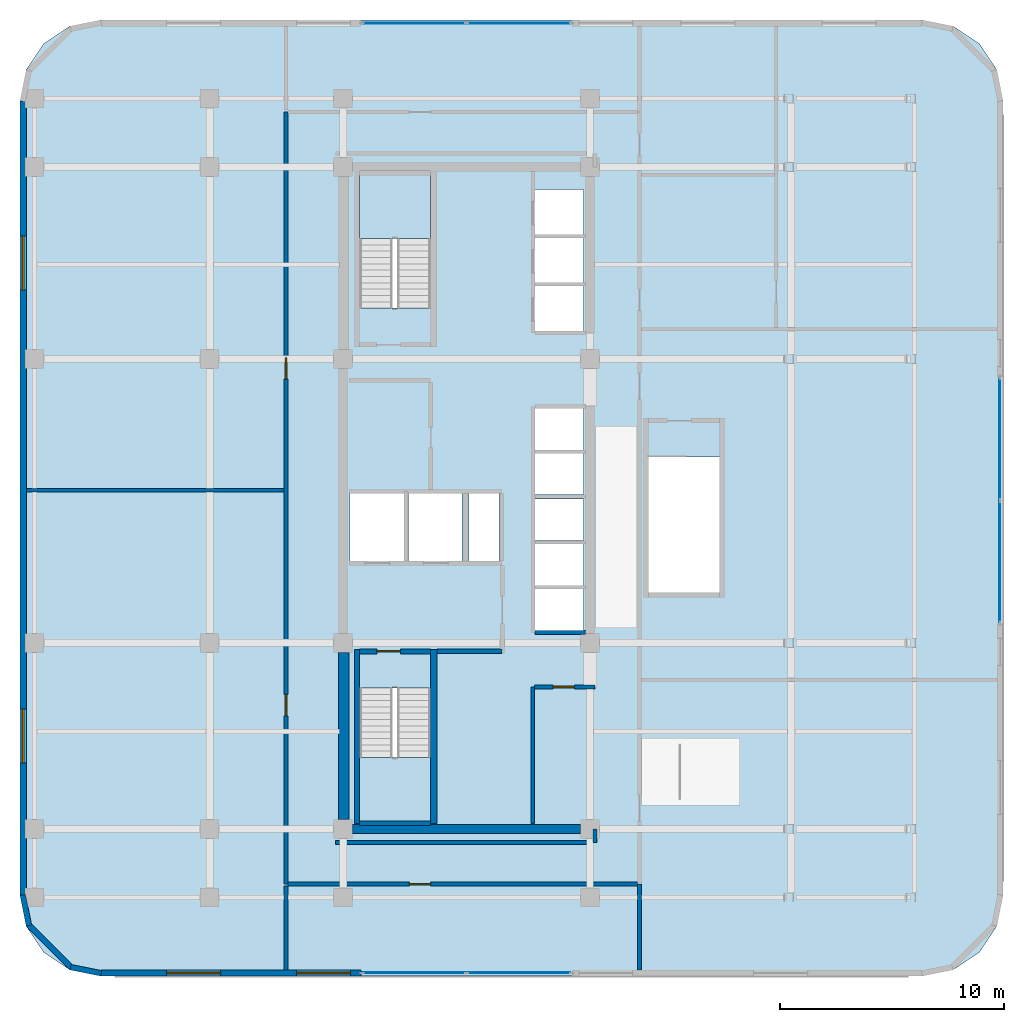
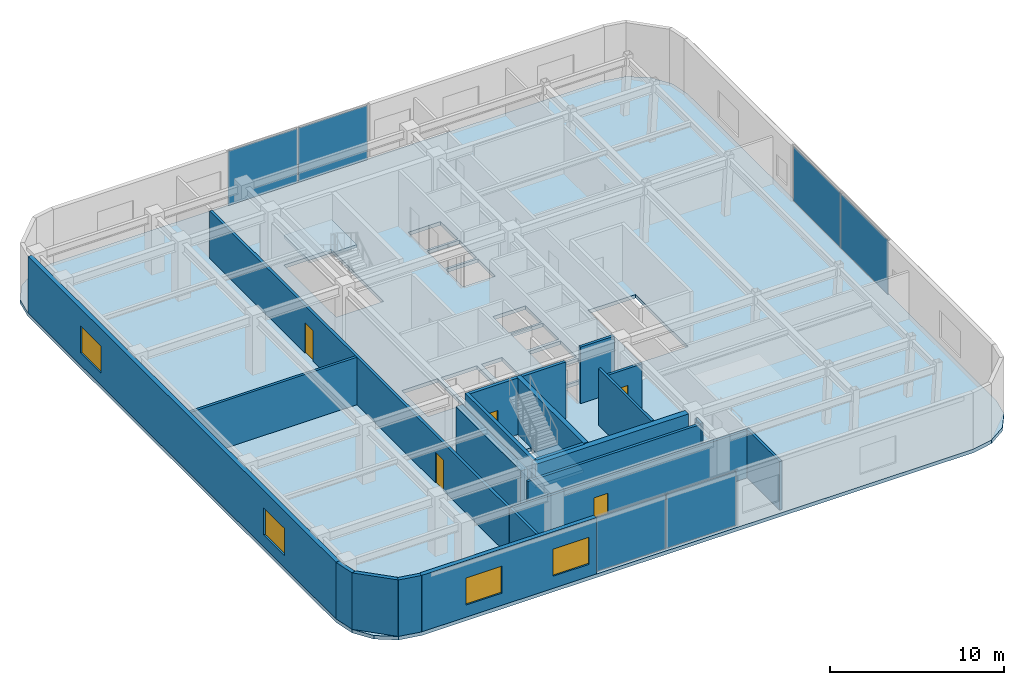
# One storey, part 6 of 12: 22 walls, 6 plates, 5 doors, 4 windows, 3 slabs, 9 openings, 5 elements without a shape of their own.
"""IFC4 building model written with IfcOpenShell, lengths in metres."""

import ifcopenshell
import ifcopenshell.guid

model = None  # the IFC model being written
_history = None  # IfcOwnerHistory: only IFC2X3 demands one
_inside = {}  # id of a spatial element -> (the spatial element, [elements in it])
_under = {}  # id of a project, library or spatial element -> (it, [spatial elements below it])
_declared = {}  # id of a project -> (the project, [libraries it declares])
_typed = {}  # id of a type object -> (the type object, [elements of that type])
_made_of = {}  # id of a material, layer set ... -> (it, [elements and type objects made of it])


def new_model(schema):
    """Start an empty IFC model of exactly this schema.

    Asked for "IFC4X3", IfcOpenShell would pick the latest addendum, in which some entities
    have other attributes; the version numbers below select the first issue.
    IFC2X3 requires an IfcOwnerHistory on every rooted entity: one is made here for all.
    """
    global model, _history
    if schema == "IFC4X3":
        model = ifcopenshell.file(schema_version=(4, 3, 0, 0))
    else:
        model = ifcopenshell.file(schema=schema)
    _inside.clear()
    _under.clear()
    _declared.clear()
    _typed.clear()
    _made_of.clear()
    _history = None
    if model.schema == "IFC2X3":
        org = make("IfcOrganization", Name="unknown")
        user = make(
            "IfcPersonAndOrganization",
            ThePerson=make("IfcPerson", FamilyName="unknown"),
            TheOrganization=org,
        )
        app = make(
            "IfcApplication",
            ApplicationDeveloper=org,
            Version="unknown",
            ApplicationFullName="unknown",
            ApplicationIdentifier="unknown",
        )
        _history = make(
            "IfcOwnerHistory",
            OwningUser=user,
            OwningApplication=app,
            ChangeAction="ADDED",
            CreationDate=0,
        )
    return model


def make(cls, **values):
    """One entity of the class cls with the attributes given. An attribute that is None is left unset."""
    return model.create_entity(
        cls, **{name: value for name, value in values.items() if value is not None}
    )


def rooted(cls, **values):
    """An entity with a GlobalId (a new one), such as an element, a storey or a relation."""
    return make(cls, GlobalId=ifcopenshell.guid.new(), OwnerHistory=_history, **values)


def si_unit(unit_type, name, prefix=None):
    """IfcSIUnit, for example si_unit("LENGTHUNIT", "METRE", prefix="MILLI")."""
    return make("IfcSIUnit", UnitType=unit_type, Prefix=prefix, Name=name)


def assignment(units):
    """IfcUnitAssignment: the units of a project."""
    return None if units is None else make("IfcUnitAssignment", Units=units)


def point(xyz):
    """IfcCartesianPoint."""
    return None if xyz is None else make("IfcCartesianPoint", Coordinates=xyz)


def direction(xyz):
    """IfcDirection."""
    return None if xyz is None else make("IfcDirection", DirectionRatios=xyz)


def frame(location, z_axis=None, x_axis=None):
    """IfcAxis2Placement3D, a coordinate frame: its origin and axes. An axis left out is left unset."""
    return make(
        "IfcAxis2Placement3D",
        Location=point(location),
        Axis=direction(z_axis),
        RefDirection=direction(x_axis),
    )


def frame_2d(location, x_axis=None):
    """IfcAxis2Placement2D, a coordinate frame in the plane: its origin and x axis."""
    return make(
        "IfcAxis2Placement2D", Location=point(location), RefDirection=direction(x_axis)
    )


def origin():
    """The frame at (0, 0, 0) with its axes left unset."""
    return frame((0.0, 0.0, 0.0))


def origin_2d():
    """The frame at (0, 0) in the plane with its x axis left unset."""
    return frame_2d((0.0, 0.0))


def place(relative_to, where):
    """IfcLocalPlacement: puts the frame where relative to a parent placement (None: the world)."""
    return make(
        "IfcLocalPlacement", PlacementRelTo=relative_to, RelativePlacement=where
    )


def context(
    kind, dimensions, precision=None, world=None, true_north=None, identifier=None
):
    """IfcGeometricRepresentationContext, for example the 3D "Model" context."""
    return make(
        "IfcGeometricRepresentationContext",
        ContextIdentifier=identifier,
        ContextType=kind,
        CoordinateSpaceDimension=dimensions,
        Precision=precision,
        WorldCoordinateSystem=world,
        TrueNorth=true_north,
    )


def subcontext(parent, identifier, kind, view, scale=None):
    """IfcGeometricRepresentationSubContext, for example "Body" below "Model"."""
    return make(
        "IfcGeometricRepresentationSubContext",
        ContextIdentifier=identifier,
        ContextType=kind,
        ParentContext=parent,
        TargetScale=scale,
        TargetView=view,
    )


def project(units=None, contexts=None):
    """IfcProject with its units and contexts."""
    return rooted(
        "IfcProject",
        Name="project",
        RepresentationContexts=contexts,
        UnitsInContext=assignment(units),
    )


def spatial(cls, under=None, at=None, **own):
    """A site, building, storey or space (cls), placed at a placement, below another one or the project."""
    s = rooted(cls, ObjectPlacement=at, **own)
    if under is not None:
        _under.setdefault(under.id(), (under, []))[1].append(s)
    return s


def polyline(points):
    """IfcPolyline through the points."""
    return make("IfcPolyline", Points=[point(p) for p in points])


def profile(cls, at=None, kind="AREA", **sizes):
    """A parametric profile (cls). Its sizes go by their IFC names, for example OverallWidth=200.0."""
    return make(cls, ProfileType=kind, Position=at, **sizes)


def rectangle(**sizes):
    """IfcRectangleProfileDef."""
    return profile("IfcRectangleProfileDef", **sizes)


def outline(outer, holes=None, kind="AREA"):
    """IfcArbitraryClosedProfileDef: a profile drawn as a closed curve; with holes, ...WithVoids."""
    if holes is None:
        return make("IfcArbitraryClosedProfileDef", ProfileType=kind, OuterCurve=outer)
    return make(
        "IfcArbitraryProfileDefWithVoids",
        ProfileType=kind,
        OuterCurve=outer,
        InnerCurves=holes,
    )


def extrude(swept, where, along, depth):
    """IfcExtrudedAreaSolid: the profile swept, set in the frame where, extruded along a direction by depth."""
    return make(
        "IfcExtrudedAreaSolid",
        SweptArea=swept,
        Position=where,
        ExtrudedDirection=direction(along),
        Depth=depth,
    )


def shape(context_of_items, identifier, shape_type, items):
    """IfcShapeRepresentation: the items that make up one representation, for example the "Body"."""
    return make(
        "IfcShapeRepresentation",
        ContextOfItems=context_of_items,
        RepresentationIdentifier=identifier,
        RepresentationType=shape_type,
        Items=items,
    )


def material(Name=None, Category=None):
    """IfcMaterial."""
    return make("IfcMaterial", Name=Name, Category=Category)


def layer(
    of_material, thickness, ventilated=None, Name=None, Category=None, Priority=None
):
    """IfcMaterialLayer: one layer of a wall or slab, of a material (None: an air gap)."""
    return make(
        "IfcMaterialLayer",
        Material=of_material,
        LayerThickness=thickness,
        IsVentilated=ventilated,
        Name=Name,
        Category=Category,
        Priority=Priority,
    )


def layer_set(layers, Name=None):
    """IfcMaterialLayerSet."""
    return make("IfcMaterialLayerSet", MaterialLayers=layers, LayerSetName=Name)


def made_of(thing, what):
    """Note that an element or type object is made of a material, layer set ...; save() writes the relation."""
    if what is not None:
        _made_of.setdefault(what.id(), (what, []))[1].append(thing)
    return thing


def type_object(cls, material=None, **own):
    """A type object (cls), such as IfcWallType, which elements share."""
    return made_of(rooted(cls, **own), material)


def element(
    cls,
    number,
    at=None,
    inside=None,
    cuts=None,
    type_object=None,
    material=None,
    context=None,
    identifier="Body",
    shape_type=None,
    held_by="IfcProductDefinitionShape",
    body=None,
    shapes=None,
    **own,
):
    """One element of the class cls, such as IfcWall. Its Tag is "e" and its number.

    at: its placement. inside: the storey or other place that contains it. cuts: it is an
    opening in that element (IfcRelVoidsElement). A single representation is given by context,
    identifier, shape_type and body (its items); several are given by shapes. held_by: the class
    of the entity that holds the representations. save() writes the other relations.
    """
    e = rooted(cls, Tag="e%d" % number, ObjectPlacement=at, **own)
    if body is not None:
        shapes = [shape(context, identifier, shape_type, body)]
    if shapes is not None:
        e.Representation = make(held_by, Representations=shapes)
    if inside is not None:
        _inside.setdefault(inside.id(), (inside, []))[1].append(e)
    if cuts is not None:
        rooted(
            "IfcRelVoidsElement", RelatingBuildingElement=cuts, RelatedOpeningElement=e
        )
    if type_object is not None:
        _typed.setdefault(type_object.id(), (type_object, []))[1].append(e)
    return made_of(e, material)


def fill(opening, filler):
    """IfcRelFillsElement: the door or window that sits in an opening."""
    return rooted(
        "IfcRelFillsElement",
        RelatingOpeningElement=opening,
        RelatedBuildingElement=filler,
    )


def aggregate(whole, parts):
    """IfcRelAggregates: a whole, such as a stair, and the parts it consists of."""
    return rooted("IfcRelAggregates", RelatingObject=whole, RelatedObjects=parts)


def save(model, path):
    """Write the relations noted so far, then the file.

    IfcRelAggregates (storeys below a building ...), IfcRelContainedInSpatialStructure (elements
    in a storey), IfcRelDefinesByType, IfcRelAssociatesMaterial and IfcRelDeclares: one each for
    every whole, place, type object, material and project.
    """
    for whole, parts in _under.values():
        aggregate(whole, parts)
    for where, things in _inside.values():
        rooted(
            "IfcRelContainedInSpatialStructure",
            RelatedElements=things,
            RelatingStructure=where,
        )
    for kind, things in _typed.values():
        rooted("IfcRelDefinesByType", RelatedObjects=things, RelatingType=kind)
    for what, things in _made_of.values():
        rooted("IfcRelAssociatesMaterial", RelatedObjects=things, RelatingMaterial=what)
    for by, libraries in _declared.values():
        rooted("IfcRelDeclares", RelatingContext=by, RelatedDefinitions=libraries)
    model.write(path)


model = new_model("IFC4")

# Units and contexts
model_context = context("Model", 3, precision=1e-05, world=origin(), true_north=direction((0.0, 1.0)))
body_context = subcontext(model_context, "Body", "Model", "MODEL_VIEW")
ifc_project = project(units=[si_unit("LENGTHUNIT", "METRE"), si_unit("AREAUNIT", "SQUARE_METRE"), si_unit("VOLUMEUNIT", "CUBIC_METRE"), si_unit("PLANEANGLEUNIT", "RADIAN"), si_unit("MASSUNIT", "GRAM", prefix="KILO")], contexts=[model_context])

# Site, building, storey
site_placement = place(None, origin())
site = spatial("IfcSite", under=ifc_project, at=site_placement, CompositionType="ELEMENT")
building_placement = place(site_placement, origin())
building = spatial("IfcBuilding", under=site, at=building_placement, Name="Ochreholt Gables", CompositionType="ELEMENT")
storey_placement = place(building_placement, frame((0.0, 0.0, 117.0)))
storey = spatial("IfcBuildingStorey", under=building, at=storey_placement, Name="L30", CompositionType="ELEMENT", Elevation=117.0)

# Curtain wall, plates
ifc_material_1 = material(Name="Unitised Aluminium and Triple Glazing", Category="aluminium")
ifc_layer_1 = layer(ifc_material_1, 0.219970703125, Name="Unitised Aluminium and Triple Glazing")
ifc_layer_set_1 = layer_set([ifc_layer_1], Name="Unitised Aluminium and Triple Glazing")
curtain_wall_type = type_object("IfcCurtainWallType", Name="CW-SYS6", PredefinedType="NOTDEFINED", material=ifc_layer_set_1)
curtain_wall_1_placement = place(storey_placement, origin())
curtain_wall_1 = element("IfcCurtainWall", 1, at=curtain_wall_1_placement, inside=storey, type_object=curtain_wall_type, Name="L30 South Unitised Curtain Wall", PredefinedType="NOTDEFINED")
ifc_material_2 = material(Name="Triple Low-E Insulating Glass", Category="glass")
ifc_layer_2 = layer(ifc_material_2, 0.0419921875, Name="Triple Low-E Insulating Glass")
ifc_layer_set_2 = layer_set([ifc_layer_2], Name="Triple Low-E Insulating Glass")
plate_type = type_object("IfcPlateType", Name="CW-PNL-42", PredefinedType="CURTAIN_PANEL", material=ifc_layer_set_2)
plate_1_placement = place(storey_placement, frame((27.36865234375, 2.840087890625, 0.074951171875), z_axis=(0.0, 0.0, 1.0), x_axis=(1.0, 0.0, 0.0)))
plate_1 = element("IfcPlate", 2, at=plate_1_placement, type_object=plate_type, Name="CW-6 panel 1.1", PredefinedType="CURTAIN_PANEL", context=body_context, shape_type="SweptSolid", body=[
    extrude(rectangle(XDim=4.58740234375, YDim=0.0419921875, at=origin_2d()), origin(), (0.0, 0.0, 1.0), 3.81005859375),
])
plate_2_placement = place(storey_placement, frame((32.03125, 2.840087890625, 0.074951171875), z_axis=(0.0, 0.0, 1.0), x_axis=(1.0, 0.0, 0.0)))
plate_2 = element("IfcPlate", 3, at=plate_2_placement, type_object=plate_type, Name="CW-6 panel 2.1", PredefinedType="CURTAIN_PANEL", context=body_context, shape_type="SweptSolid", body=[
    extrude(rectangle(XDim=4.58740234375, YDim=0.0419921875, at=origin_2d()), origin(), (0.0, 0.0, 1.0), 3.81005859375),
])
aggregate(curtain_wall_1, [plate_1, plate_2])

curtain_wall_2_placement = place(storey_placement, origin())
curtain_wall_2 = element("IfcCurtainWall", 4, at=curtain_wall_2_placement, inside=storey, type_object=curtain_wall_type, Name="L30 East Unitised Curtain Wall", PredefinedType="NOTDEFINED")
plate_3_placement = place(storey_placement, frame((53.4599609375, 21.168701171875, 0.074951171875), z_axis=(0.0, 0.0, 1.0), x_axis=(0.0, 1.0, 0.0)))
plate_3 = element("IfcPlate", 5, at=plate_3_placement, type_object=plate_type, Name="CW-6 panel 1.1", PredefinedType="CURTAIN_PANEL", context=body_context, shape_type="SweptSolid", body=[
    extrude(rectangle(XDim=5.387451171875, YDim=0.0419921875, at=origin_2d()), origin(), (0.0, 0.0, 1.0), 3.81005859375),
])
plate_4_placement = place(storey_placement, frame((53.4599609375, 26.63134765625, 0.074951171875), z_axis=(0.0, 0.0, 1.0), x_axis=(0.0, 1.0, 0.0)))
plate_4 = element("IfcPlate", 6, at=plate_4_placement, type_object=plate_type, Name="CW-6 panel 2.1", PredefinedType="CURTAIN_PANEL", context=body_context, shape_type="SweptSolid", body=[
    extrude(rectangle(XDim=5.387451171875, YDim=0.0419921875, at=origin_2d()), origin(), (0.0, 0.0, 1.0), 3.81005859375),
])
aggregate(curtain_wall_2, [plate_3, plate_4])

curtain_wall_3_placement = place(storey_placement, origin())
curtain_wall_3 = element("IfcCurtainWall", 7, at=curtain_wall_3_placement, inside=storey, type_object=curtain_wall_type, Name="L30 North Unitised Curtain Wall", PredefinedType="NOTDEFINED")
plate_5_placement = place(storey_placement, frame((32.03125, 45.159912109375, 0.074951171875), z_axis=(0.0, 0.0, 1.0), x_axis=(-1.0, 0.0, 0.0)))
plate_5 = element("IfcPlate", 8, at=plate_5_placement, type_object=plate_type, Name="CW-6 panel 1.1", PredefinedType="CURTAIN_PANEL", context=body_context, shape_type="SweptSolid", body=[
    extrude(rectangle(XDim=4.58740234375, YDim=0.0419921875, at=origin_2d()), origin(), (0.0, 0.0, 1.0), 3.81005859375),
])
plate_6_placement = place(storey_placement, frame((27.36865234375, 45.159912109375, 0.074951171875), z_axis=(0.0, 0.0, 1.0), x_axis=(-1.0, 0.0, 0.0)))
plate_6 = element("IfcPlate", 9, at=plate_6_placement, type_object=plate_type, Name="CW-6 panel 2.1", PredefinedType="CURTAIN_PANEL", context=body_context, shape_type="SweptSolid", body=[
    extrude(rectangle(XDim=4.58740234375, YDim=0.0419921875, at=origin_2d()), origin(), (0.0, 0.0, 1.0), 3.81005859375),
])
aggregate(curtain_wall_3, [plate_5, plate_6])

# Stair, slab
ifc_material_3 = material(Name="Concrete 40 MPa", Category="concrete")
stair_type_1 = type_object("IfcStairType", Name="STAIR-CORE-ST-1", PredefinedType="HALF_TURN_STAIR", material=ifc_material_3)
stair_1_placement = place(storey_placement, origin())
stair_1 = element("IfcStair", 10, at=stair_1_placement, inside=storey, type_object=stair_type_1, Name="L30 Core Exit Stair 1", PredefinedType="HALF_TURN_STAIR")
ifc_layer_3 = layer(ifc_material_3, 0.199951171875, Name="Concrete 40 MPa")
ifc_layer_set_3 = layer_set([ifc_layer_3], Name="Concrete 40 MPa")
slab_type_1 = type_object("IfcSlabType", Name="LANDING-RC200", PredefinedType="LANDING", material=ifc_layer_set_3)
slab_1_placement = place(storey_placement, frame((0.0, 0.0, 1.89990234375)))
slab_1 = element("IfcSlab", 11, at=slab_1_placement, type_object=slab_type_1, Name="ST-1 landing 1", PredefinedType="LANDING", context=body_context, shape_type="SweptSolid", body=[
    extrude(outline(polyline([(24.919921875, 12.43798828125), (24.919921875, 9.52001953125), (28.080078125, 9.52001953125), (28.080078125, 12.43798828125), (24.919921875, 12.43798828125)])), origin(), (0.0, 0.0, 1.0), 0.2001953125),
])
aggregate(stair_1, [slab_1])

stair_type_2 = type_object("IfcStairType", Name="STAIR-CORE-ST-2", PredefinedType="HALF_TURN_STAIR", material=ifc_material_3)
stair_2_placement = place(storey_placement, origin())
stair_2 = element("IfcStair", 12, at=stair_2_placement, inside=storey, type_object=stair_type_2, Name="L30 Core Exit Stair 2", PredefinedType="HALF_TURN_STAIR")
slab_2_placement = place(storey_placement, frame((0.0, 0.0, 1.89990234375)))
slab_2 = element("IfcSlab", 13, at=slab_2_placement, type_object=slab_type_1, Name="ST-2 landing 1", PredefinedType="LANDING", context=body_context, shape_type="SweptSolid", body=[
    extrude(outline(polyline([(28.080078125, 35.56201171875), (28.080078125, 38.47998046875), (24.919921875, 38.47998046875), (24.919921875, 35.56201171875), (28.080078125, 35.56201171875)])), origin(), (0.0, 0.0, 1.0), 0.2001953125),
])
aggregate(stair_2, [slab_2])

# Slab
ifc_layer_4 = layer(ifc_material_3, 0.25, Name="Concrete 40 MPa")
ifc_layer_set_4 = layer_set([ifc_layer_4], Name="Concrete 40 MPa")
slab_type_2 = type_object("IfcSlabType", Name="SLAB-COM-250", PredefinedType="FLOOR", material=ifc_layer_set_4)
slab_3_placement = place(storey_placement, frame((0.0, 0.0, -0.25)))
element("IfcSlab", 14, at=slab_3_placement, inside=storey, type_object=slab_type_2, Name="L30 Structural Floor Slab", PredefinedType="FLOOR", context=body_context, shape_type="SweptSolid", body=[
    extrude(outline(polyline([(9.800048828125, 6.300048828125), (10.073974609375, 4.92236328125), (10.8544921875, 3.75439453125), (12.022216796875, 2.97412109375), (13.39990234375, 2.699951171875), (50.0, 2.699951171875), (51.377685546875, 2.97412109375), (52.545654296875, 3.75439453125), (53.325927734375, 4.92236328125), (53.60009765625, 6.300048828125), (53.60009765625, 41.699951171875), (53.325927734375, 43.07763671875), (52.545654296875, 44.24560546875), (51.377685546875, 45.02587890625), (50.0, 45.300048828125), (13.39990234375, 45.300048828125), (12.022216796875, 45.02587890625), (10.8544921875, 44.24560546875), (10.073974609375, 43.07763671875), (9.800048828125, 41.699951171875), (9.800048828125, 6.300048828125)]), holes=[polyline([(24.919921875, 15.539306640625), (24.919921875, 9.52001953125), (28.080078125, 9.52001953125), (28.080078125, 15.539306640625), (24.919921875, 15.539306640625)]), polyline([(28.080078125, 32.460693359375), (28.080078125, 38.47998046875), (24.919921875, 38.47998046875), (24.919921875, 32.460693359375), (28.080078125, 32.460693359375)]), polyline([(37.800048828125, 25.819091796875), (37.800048828125, 19.800048828125), (40.9599609375, 19.800048828125), (40.9599609375, 25.819091796875), (37.800048828125, 25.819091796875)]), polyline([(24.5, 21.199951171875), (26.89990234375, 21.199951171875), (26.89990234375, 24.199951171875), (24.5, 24.199951171875), (24.5, 21.199951171875)]), polyline([(27.10009765625, 21.199951171875), (29.5, 21.199951171875), (29.5, 24.199951171875), (27.10009765625, 24.199951171875), (27.10009765625, 21.199951171875)]), polyline([(32.75, 18.10009765625), (34.89990234375, 18.10009765625), (34.89990234375, 19.949951171875), (32.75, 19.949951171875), (32.75, 18.10009765625)]), polyline([(32.75, 20.10009765625), (34.89990234375, 20.10009765625), (34.89990234375, 21.949951171875), (32.75, 21.949951171875), (32.75, 20.10009765625)]), polyline([(32.75, 22.10009765625), (34.89990234375, 22.10009765625), (34.89990234375, 23.949951171875), (32.75, 23.949951171875), (32.75, 22.10009765625)]), polyline([(32.75, 24.14990234375), (34.89990234375, 24.14990234375), (34.89990234375, 26.0), (32.75, 26.0), (32.75, 24.14990234375)]), polyline([(32.75, 26.14990234375), (34.89990234375, 26.14990234375), (34.89990234375, 28.0), (32.75, 28.0), (32.75, 26.14990234375)]), polyline([(32.75, 31.449951171875), (34.89990234375, 31.449951171875), (34.89990234375, 33.449951171875), (32.75, 33.449951171875), (32.75, 31.449951171875)]), polyline([(32.75, 33.60009765625), (34.89990234375, 33.60009765625), (34.89990234375, 35.60009765625), (32.75, 35.60009765625), (32.75, 33.60009765625)]), polyline([(32.75, 35.75), (34.89990234375, 35.75), (34.89990234375, 37.75), (32.75, 37.75), (32.75, 35.75)]), polyline([(29.800048828125, 21.199951171875), (31.14990234375, 21.199951171875), (31.14990234375, 24.199951171875), (29.800048828125, 24.199951171875), (29.800048828125, 21.199951171875)])]), origin(), (0.0, 0.0, 1.0), 0.25),
])

# Walls
ifc_material_4 = material(Name="Concrete 60 MPa", Category="concrete")
ifc_layer_5 = layer(ifc_material_4, 0.39990234375, Name="Concrete 60 MPa")
ifc_layer_set_5 = layer_set([ifc_layer_5], Name="Concrete 60 MPa")
wall_type_1 = type_object("IfcWallType", Name="WALL-CSW-400", PredefinedType="SHEAR", material=ifc_layer_set_5)
wall_1_placement = place(storey_placement, frame((24.625, 9.25, 0.0), z_axis=(0.0, 0.0, 1.0), x_axis=(1.0, 0.0, 0.0)))
element("IfcWall", 15, at=wall_1_placement, inside=storey, type_object=wall_type_1, Name="L30 Core South Shear Wall", PredefinedType="SHEAR", context=body_context, shape_type="SweptSolid", body=[
    extrude(rectangle(XDim=10.14990234375, YDim=0.39990234375, at=frame_2d((5.074951171875, 0.0))), origin(), (0.0, 0.0, 1.0), 3.9599609375),
])
ifc_layer_6 = layer(ifc_material_4, 0.449951171875, Name="Concrete 60 MPa")
ifc_layer_set_6 = layer_set([ifc_layer_6], Name="Concrete 60 MPa")
wall_type_2 = type_object("IfcWallType", Name="WALL-CSW-450", PredefinedType="SHEAR", material=ifc_layer_set_6)
wall_2_placement = place(storey_placement, frame((24.22509765625, 9.675048828125, 0.0), z_axis=(0.0, 0.0, 1.0), x_axis=(0.0, 1.0, 0.0)))
element("IfcWall", 16, at=wall_2_placement, inside=storey, type_object=wall_type_2, Name="L30 Core West Shear Wall WS", PredefinedType="SHEAR", context=body_context, shape_type="SweptSolid", body=[
    extrude(rectangle(XDim=7.449951171875, YDim=0.449951171875, at=frame_2d((3.72509765625, 0.0))), origin(), (0.0, 0.0, 1.0), 3.34912109375),
])

# Wall, openings, windows
ifc_material_5 = material(Name="Precast concrete 40 MPa", Category="concrete")
ifc_layer_7 = layer(ifc_material_5, 0.280029296875, Name="Precast concrete 40 MPa")
ifc_layer_set_7 = layer_set([ifc_layer_7], Name="Precast concrete 40 MPa")
wall_type_3 = type_object("IfcWallType", Name="WALL-EXT-280", PredefinedType="SOLIDWALL", material=ifc_layer_set_7)
wall_3_placement = place(storey_placement, frame((13.419921875, 2.840087890625, 0.0), z_axis=(0.0, 0.0, 1.0), x_axis=(1.0, 0.0, 0.0)))
wall_3 = element("IfcWall", 17, at=wall_3_placement, inside=storey, type_object=wall_type_3, Name="L30 South Facade Wall 1", PredefinedType="SOLIDWALL", context=body_context, shape_type="SweptSolid", body=[
    extrude(rectangle(XDim=11.580078125, YDim=0.280029296875, at=frame_2d((5.7900390625, 0.0))), origin(), (0.0, 0.0, 1.0), 3.9599609375),
])
opening_1_placement = place(wall_3_placement, frame((2.9150390625, 0.0, 0.85009765625)))
opening_1 = element("IfcOpeningElement", 18, at=opening_1_placement, cuts=wall_3, Name="Opening WN-5", PredefinedType="OPENING", context=body_context, shape_type="SweptSolid", body=[
    extrude(rectangle(XDim=2.39990234375, YDim=1.89990234375, at=frame_2d((1.199951171875, 0.949951171875))), frame((0.0, 0.14990234375, 0.0), z_axis=(0.0, -1.0, 0.0), x_axis=(1.0, 0.0, 0.0)), (0.0, 0.0, 1.0), 0.300048828125),
])
opening_2_placement = place(wall_3_placement, frame((8.705078125, 0.0, 0.85009765625)))
opening_2 = element("IfcOpeningElement", 19, at=opening_2_placement, cuts=wall_3, Name="Opening WN-5", PredefinedType="OPENING", context=body_context, shape_type="SweptSolid", body=[
    extrude(rectangle(XDim=2.39990234375, YDim=1.89990234375, at=frame_2d((1.199951171875, 0.949951171875))), frame((0.0, 0.14990234375, 0.0), z_axis=(0.0, -1.0, 0.0), x_axis=(1.0, 0.0, 0.0)), (0.0, 0.0, 1.0), 0.300048828125),
])
ifc_material_6 = material(Name="Triple-Glazed Thermally Broken Aluminium Window", Category="aluminium")
window_type = type_object("IfcWindowType", Name="WIN-COM-2400", PartitioningType="SINGLE_PANEL", PredefinedType="WINDOW", material=ifc_material_6)
window_1_placement = place(opening_1_placement, origin())
window_1 = element("IfcWindow", 20, at=window_1_placement, inside=storey, type_object=window_type, Name="L30 Window W-EXT-S1-L30-1", OverallHeight=1.89990234375, OverallWidth=2.39990234375, PartitioningType="SINGLE_PANEL", PredefinedType="WINDOW", context=body_context, shape_type="SweptSolid", body=[
    extrude(rectangle(XDim=2.39990234375, YDim=1.89990234375, at=frame_2d((1.199951171875, 0.949951171875))), frame((0.0, 0.030029296875, 0.0), z_axis=(0.0, -1.0, 0.0), x_axis=(1.0, 0.0, 0.0)), (0.0, 0.0, 1.0), 0.06005859375),
])
fill(opening_1, window_1)
window_2_placement = place(opening_2_placement, origin())
window_2 = element("IfcWindow", 21, at=window_2_placement, inside=storey, type_object=window_type, Name="L30 Window W-EXT-S1-L30-2", OverallHeight=1.89990234375, OverallWidth=2.39990234375, PartitioningType="SINGLE_PANEL", PredefinedType="WINDOW", context=body_context, shape_type="SweptSolid", body=[
    extrude(rectangle(XDim=2.39990234375, YDim=1.89990234375, at=frame_2d((1.199951171875, 0.949951171875))), frame((0.0, 0.030029296875, 0.0), z_axis=(0.0, -1.0, 0.0), x_axis=(1.0, 0.0, 0.0)), (0.0, 0.0, 1.0), 0.06005859375),
])
fill(opening_2, window_2)

wall_4_placement = place(storey_placement, frame((9.93994140625, 41.679931640625, 0.0), z_axis=(0.0, 0.0, 1.0), x_axis=(0.0, -1.0, 0.0)))
wall_4 = element("IfcWall", 22, at=wall_4_placement, inside=storey, type_object=wall_type_3, Name="L30 West Exterior Wall", PredefinedType="SOLIDWALL", context=body_context, shape_type="SweptSolid", body=[
    extrude(rectangle(XDim=35.35986328125, YDim=0.280029296875, at=frame_2d((17.679931640625, 0.0))), origin(), (0.0, 0.0, 1.0), 3.9599609375),
])
opening_3_placement = place(wall_4_placement, frame((27.080078125, 0.0, 0.85009765625)))
opening_3 = element("IfcOpeningElement", 23, at=opening_3_placement, cuts=wall_4, Name="Opening WN-5", PredefinedType="OPENING", context=body_context, shape_type="SweptSolid", body=[
    extrude(rectangle(XDim=2.39990234375, YDim=1.89990234375, at=frame_2d((1.199951171875, 0.949951171875))), frame((0.0, 0.14990234375, 0.0), z_axis=(0.0, -1.0, 0.0), x_axis=(1.0, 0.0, 0.0)), (0.0, 0.0, 1.0), 0.300048828125),
])
opening_4_placement = place(wall_4_placement, frame((6.0048828125, 0.0, 0.85009765625)))
opening_4 = element("IfcOpeningElement", 24, at=opening_4_placement, cuts=wall_4, Name="Opening WN-5", PredefinedType="OPENING", context=body_context, shape_type="SweptSolid", body=[
    extrude(rectangle(XDim=2.39990234375, YDim=1.89990234375, at=frame_2d((1.199951171875, 0.949951171875))), frame((0.0, 0.14990234375, 0.0), z_axis=(0.0, -1.0, 0.0), x_axis=(1.0, 0.0, 0.0)), (0.0, 0.0, 1.0), 0.300048828125),
])
window_3_placement = place(opening_3_placement, origin())
window_3 = element("IfcWindow", 25, at=window_3_placement, inside=storey, type_object=window_type, Name="L30 Window W-EXT-W-L30-1", OverallHeight=1.89990234375, OverallWidth=2.39990234375, PartitioningType="SINGLE_PANEL", PredefinedType="WINDOW", context=body_context, shape_type="SweptSolid", body=[
    extrude(rectangle(XDim=2.39990234375, YDim=1.89990234375, at=frame_2d((1.199951171875, 0.949951171875))), frame((0.0, 0.030029296875, 0.0), z_axis=(0.0, -1.0, 0.0), x_axis=(1.0, 0.0, 0.0)), (0.0, 0.0, 1.0), 0.06005859375),
])
fill(opening_3, window_3)
window_4_placement = place(opening_4_placement, origin())
window_4 = element("IfcWindow", 26, at=window_4_placement, inside=storey, type_object=window_type, Name="L30 Window W-EXT-W-L30-2", OverallHeight=1.89990234375, OverallWidth=2.39990234375, PartitioningType="SINGLE_PANEL", PredefinedType="WINDOW", context=body_context, shape_type="SweptSolid", body=[
    extrude(rectangle(XDim=2.39990234375, YDim=1.89990234375, at=frame_2d((1.199951171875, 0.949951171875))), frame((0.0, 0.030029296875, 0.0), z_axis=(0.0, -1.0, 0.0), x_axis=(1.0, 0.0, 0.0)), (0.0, 0.0, 1.0), 0.06005859375),
])
fill(opening_4, window_4)

# Walls
ifc_layer_8 = layer(ifc_material_5, 0.25, Name="Precast concrete 40 MPa")
ifc_layer_set_8 = layer_set([ifc_layer_8], Name="Precast concrete 40 MPa")
wall_type_4 = type_object("IfcWallType", Name="WALL-EXT-CNR", PredefinedType="SOLIDWALL", material=ifc_layer_set_8)
wall_5_placement = place(storey_placement, frame((9.92431640625, 6.31640625, 0.0), z_axis=(0.0, 0.0, 1.0), x_axis=(0.195000137217, -0.980803214965, 0.0)))
element("IfcWall", 27, at=wall_5_placement, inside=storey, type_object=wall_type_4, Name="L30 Rounded Corner Wall SW-1", PredefinedType="SOLIDWALL", context=body_context, shape_type="SweptSolid", body=[
    extrude(rectangle(XDim=1.388427734375, YDim=0.25, at=frame_2d((0.6943359375, 0.0))), origin(), (0.0, 0.0, 1.0), 3.9599609375),
])
wall_6_placement = place(storey_placement, frame((10.16796875, 5.0048828125, 0.0), z_axis=(0.0, 0.0, 1.0), x_axis=(0.707151344399, -0.707062215165, 0.0)))
element("IfcWall", 28, at=wall_6_placement, inside=storey, type_object=wall_type_4, Name="L30 Rounded Corner Wall SW-2", PredefinedType="SOLIDWALL", context=body_context, shape_type="SweptSolid", body=[
    extrude(rectangle(XDim=2.7392578125, YDim=0.25, at=frame_2d((1.36962890625, 0.0))), origin(), (0.0, 0.0, 1.0), 3.9599609375),
])
wall_7_placement = place(storey_placement, frame((12.054443359375, 3.094970703125, 0.0), z_axis=(0.0, 0.0, 1.0), x_axis=(0.980809899341, -0.19496651342, 0.0)))
element("IfcWall", 29, at=wall_7_placement, inside=storey, type_object=wall_type_4, Name="L30 Rounded Corner Wall SW-3", PredefinedType="SOLIDWALL", context=body_context, shape_type="SweptSolid", body=[
    extrude(rectangle(XDim=1.388671875, YDim=0.25, at=frame_2d((0.6943359375, 0.0))), origin(), (0.0, 0.0, 1.0), 3.9599609375),
])
ifc_layer_9 = layer(ifc_material_3, 0.199951171875, Name="Concrete 40 MPa")
ifc_layer_set_9 = layer_set([ifc_layer_9], Name="Concrete 40 MPa")
wall_type_5 = type_object("IfcWallType", Name="WALL-INT-CF200", PredefinedType="STANDARD", material=ifc_layer_set_9)
wall_8_placement = place(storey_placement, frame((28.3798828125, 17.169921875, 0.0), z_axis=(0.0, 0.0, 1.0), x_axis=(1.0, 0.0, 0.0)))
element("IfcWall", 30, at=wall_8_placement, inside=storey, type_object=wall_type_5, Name="L30 Interior Wall WI-FFS-L30", PredefinedType="STANDARD", context=body_context, shape_type="SweptSolid", body=[
    extrude(rectangle(XDim=2.900146484375, YDim=0.199951171875, at=frame_2d((1.4501953125, 0.0))), origin(), (0.0, 0.0, 1.0), 3.9599609375),
])
ifc_material_7 = material(Name="Fire-Rated Gypsum Acoustic Partition", Category="gypsum")
ifc_layer_10 = layer(ifc_material_7, 0.179931640625, Name="Fire-Rated Gypsum Acoustic Partition")
ifc_layer_set_10 = layer_set([ifc_layer_10], Name="Fire-Rated Gypsum Acoustic Partition")
wall_type_6 = type_object("IfcWallType", Name="WALL-INT-CR180", PredefinedType="STANDARD", material=ifc_layer_set_10)
wall_9_placement = place(storey_placement, frame((35.419921875, 8.64990234375, 0.0), z_axis=(0.0, 0.0, 1.0), x_axis=(0.0, 1.0, 0.0)))
element("IfcWall", 31, at=wall_9_placement, inside=storey, type_object=wall_type_6, Name="L30 Interior Wall WI-CMCSW1-L30", PredefinedType="STANDARD", context=body_context, shape_type="SweptSolid", body=[
    extrude(rectangle(XDim=0.60009765625, YDim=0.179931640625, at=frame_2d((0.300048828125, 0.0))), origin(), (0.0, 0.0, 1.0), 3.3310546875),
])

# Wall, openings, doors
wall_10_placement = place(storey_placement, frame((21.64990234375, 6.800048828125, 0.0), z_axis=(0.0, 0.0, 1.0), x_axis=(0.0, 1.0, 0.0)))
wall_10 = element("IfcWall", 32, at=wall_10_placement, inside=storey, type_object=wall_type_6, Name="L30 Interior Wall WI-CMCW-L30", PredefinedType="STANDARD", context=body_context, shape_type="SweptSolid", body=[
    extrude(rectangle(XDim=34.39990234375, YDim=0.179931640625, at=frame_2d((17.199951171875, 0.0))), origin(), (0.0, 0.0, 1.0), 3.3310546875),
])
opening_5_placement = place(wall_10_placement, frame((7.5, 0.0, 0.0)))
opening_5 = element("IfcOpeningElement", 33, at=opening_5_placement, cuts=wall_10, Name="Opening D-GN1", PredefinedType="OPENING", context=body_context, shape_type="SweptSolid", body=[
    extrude(rectangle(XDim=0.949951171875, YDim=2.14990234375, at=frame_2d((0.47509765625, 1.074951171875))), frame((0.0, 0.099853515625, 0.0), z_axis=(0.0, -1.0, 0.0), x_axis=(1.0, 0.0, 0.0)), (0.0, 0.0, 1.0), 0.199951171875),
])
opening_6_placement = place(wall_10_placement, frame((22.5, 0.0, 0.0)))
opening_6 = element("IfcOpeningElement", 34, at=opening_6_placement, cuts=wall_10, Name="Opening D-GN1", PredefinedType="OPENING", context=body_context, shape_type="SweptSolid", body=[
    extrude(rectangle(XDim=0.949951171875, YDim=2.14990234375, at=frame_2d((0.47509765625, 1.074951171875))), frame((0.0, 0.099853515625, 0.0), z_axis=(0.0, -1.0, 0.0), x_axis=(1.0, 0.0, 0.0)), (0.0, 0.0, 1.0), 0.199951171875),
])
ifc_material_8 = material(Name="Engineered Oak Timber", Category="wood")
door_type_1 = type_object("IfcDoorType", Name="DR-INT-GEN950", OperationType="NOTDEFINED", PredefinedType="DOOR", material=ifc_material_8)
door_1_placement = place(opening_5_placement, origin())
door_1 = element("IfcDoor", 35, at=door_1_placement, inside=storey, type_object=door_type_1, Name="L30 Door D-CMW1-L30", OperationType="SINGLE_SWING_LEFT", OverallHeight=2.14990234375, OverallWidth=0.949951171875, PredefinedType="DOOR", context=body_context, shape_type="SweptSolid", body=[
    extrude(rectangle(XDim=0.949951171875, YDim=2.14990234375, at=frame_2d((0.47509765625, 1.074951171875))), frame((0.0, 0.02490234375, 0.0), z_axis=(0.0, -1.0, 0.0), x_axis=(1.0, 0.0, 0.0)), (0.0, 0.0, 1.0), 0.050048828125),
])
fill(opening_5, door_1)
door_2_placement = place(opening_6_placement, origin())
door_2 = element("IfcDoor", 36, at=door_2_placement, inside=storey, type_object=door_type_1, Name="L30 Door D-CMW2-L30", OperationType="SINGLE_SWING_RIGHT", OverallHeight=2.14990234375, OverallWidth=0.949951171875, PredefinedType="DOOR", context=body_context, shape_type="SweptSolid", body=[
    extrude(rectangle(XDim=0.949951171875, YDim=2.14990234375, at=frame_2d((0.47509765625, 1.074951171875))), frame((0.0, 0.02490234375, 0.0), z_axis=(0.0, -1.0, 0.0), x_axis=(1.0, 0.0, 0.0)), (0.0, 0.0, 1.0), 0.050048828125),
])
fill(opening_6, door_2)

# Wall, opening, door
wall_11_placement = place(storey_placement, frame((21.739990234375, 6.800048828125, 0.0), z_axis=(0.0, 0.0, 1.0), x_axis=(1.0, 0.0, 0.0)))
wall_11 = element("IfcWall", 37, at=wall_11_placement, inside=storey, type_object=wall_type_6, Name="L30 Interior Wall WI-CMCS-L30", PredefinedType="STANDARD", context=body_context, shape_type="SweptSolid", body=[
    extrude(rectangle(XDim=15.570068359375, YDim=0.179931640625, at=frame_2d((7.78515625, 0.0))), origin(), (0.0, 0.0, 1.0), 3.3310546875),
])
opening_7_placement = place(wall_11_placement, frame((5.409912109375, 0.0, 0.0)))
opening_7 = element("IfcOpeningElement", 38, at=opening_7_placement, cuts=wall_11, Name="Opening D-GN1", PredefinedType="OPENING", context=body_context, shape_type="SweptSolid", body=[
    extrude(rectangle(XDim=0.949951171875, YDim=2.14990234375, at=frame_2d((0.47509765625, 1.074951171875))), frame((0.0, 0.099853515625, 0.0), z_axis=(0.0, -1.0, 0.0), x_axis=(1.0, 0.0, 0.0)), (0.0, 0.0, 1.0), 0.199951171875),
])
door_3_placement = place(opening_7_placement, origin())
door_3 = element("IfcDoor", 39, at=door_3_placement, inside=storey, type_object=door_type_1, Name="L30 Door D-CMCS-L30", OperationType="SINGLE_SWING_LEFT", OverallHeight=2.14990234375, OverallWidth=0.949951171875, PredefinedType="DOOR", context=body_context, shape_type="SweptSolid", body=[
    extrude(rectangle(XDim=0.949951171875, YDim=2.14990234375, at=frame_2d((0.47509765625, 1.074951171875))), frame((0.0, 0.02490234375, 0.0), z_axis=(0.0, -1.0, 0.0), x_axis=(1.0, 0.0, 0.0)), (0.0, 0.0, 1.0), 0.050048828125),
])
fill(opening_7, door_3)

# Walls
wall_12_placement = place(storey_placement, frame((23.85009765625, 8.64990234375, 0.0), z_axis=(0.0, 0.0, 1.0), x_axis=(1.0, 0.0, 0.0)))
element("IfcWall", 40, at=wall_12_placement, inside=storey, type_object=wall_type_6, Name="L30 Interior Wall WI-CMCS2-L30", PredefinedType="STANDARD", context=body_context, shape_type="SweptSolid", body=[
    extrude(rectangle(XDim=11.47998046875, YDim=0.179931640625, at=frame_2d((5.739990234375, 0.0))), origin(), (0.0, 0.0, 1.0), 3.3310546875),
])
ifc_material_9 = material(Name="Gypsum Acoustic Stud Partition", Category="gypsum")
ifc_layer_11 = layer(ifc_material_9, 0.1650390625, Name="Gypsum Acoustic Stud Partition")
ifc_layer_set_11 = layer_set([ifc_layer_11], Name="Gypsum Acoustic Stud Partition")
wall_type_7 = type_object("IfcWallType", Name="WALL-INT-PT165", PredefinedType="PARTITIONING", material=ifc_layer_set_11)
wall_13_placement = place(storey_placement, frame((37.39990234375, 2.97998046875, 0.0), z_axis=(0.0, 0.0, 1.0), x_axis=(0.0, 1.0, 0.0)))
element("IfcWall", 41, at=wall_13_placement, inside=storey, type_object=wall_type_7, Name="L30 Interior Wall WI-CMCES-L30", PredefinedType="PARTITIONING", context=body_context, shape_type="SweptSolid", body=[
    extrude(rectangle(XDim=3.820068359375, YDim=0.1650390625, at=frame_2d((1.91015625, 0.0))), origin(), (0.0, 0.0, 1.0), 3.408935546875),
])
wall_14_placement = place(storey_placement, frame((32.64990234375, 9.5, 0.0), z_axis=(0.0, 0.0, 1.0), x_axis=(0.0, 1.0, 0.0)))
element("IfcWall", 42, at=wall_14_placement, inside=storey, type_object=wall_type_7, Name="L30 Interior Wall WI-CMRCLW-L30", PredefinedType="PARTITIONING", context=body_context, shape_type="SweptSolid", body=[
    extrude(rectangle(XDim=6.080078125, YDim=0.1650390625, at=frame_2d((3.0400390625, 0.0))), origin(), (0.0, 0.0, 1.0), 3.9599609375),
])

# Wall, opening, door
wall_15_placement = place(storey_placement, frame((32.732421875, 15.580078125, 0.0), z_axis=(0.0, 0.0, 1.0), x_axis=(1.0, 0.0, 0.0)))
wall_15 = element("IfcWall", 43, at=wall_15_placement, inside=storey, type_object=wall_type_7, Name="L30 Interior Wall WI-CMRCLN-L30", PredefinedType="PARTITIONING", context=body_context, shape_type="SweptSolid", body=[
    extrude(rectangle(XDim=2.6875, YDim=0.1650390625, at=frame_2d((1.34375, 0.0))), origin(), (0.0, 0.0, 1.0), 3.3310546875),
])
opening_8_placement = place(wall_15_placement, frame((0.8173828125, 0.0, 0.0)))
opening_8 = element("IfcOpeningElement", 44, at=opening_8_placement, cuts=wall_15, Name="Opening D-GN1", PredefinedType="OPENING", context=body_context, shape_type="SweptSolid", body=[
    extrude(rectangle(XDim=0.949951171875, YDim=2.14990234375, at=frame_2d((0.47509765625, 1.074951171875))), frame((0.0, 0.092529296875, 0.0), z_axis=(0.0, -1.0, 0.0), x_axis=(1.0, 0.0, 0.0)), (0.0, 0.0, 1.0), 0.18505859375),
])
door_4_placement = place(opening_8_placement, origin())
door_4 = element("IfcDoor", 45, at=door_4_placement, inside=storey, type_object=door_type_1, Name="L30 Door D-CMRCL-L30", OperationType="SINGLE_SWING_LEFT", OverallHeight=2.14990234375, OverallWidth=0.949951171875, PredefinedType="DOOR", context=body_context, shape_type="SweptSolid", body=[
    extrude(rectangle(XDim=0.949951171875, YDim=2.14990234375, at=frame_2d((0.47509765625, 1.074951171875))), frame((0.0, 0.02490234375, 0.0), z_axis=(0.0, -1.0, 0.0), x_axis=(1.0, 0.0, 0.0)), (0.0, 0.0, 1.0), 0.050048828125),
])
fill(opening_8, door_4)

# Walls
wall_16_placement = place(storey_placement, frame((21.64990234375, 2.97998046875, 0.0), z_axis=(0.0, 0.0, 1.0), x_axis=(0.0, 1.0, 0.0)))
element("IfcWall", 46, at=wall_16_placement, inside=storey, type_object=wall_type_7, Name="L30 Interior Wall WI-CMCWS-L30", PredefinedType="PARTITIONING", context=body_context, shape_type="SweptSolid", body=[
    extrude(rectangle(XDim=3.72998046875, YDim=0.1650390625, at=frame_2d((1.864990234375, 0.0))), origin(), (0.0, 0.0, 1.0), 3.408935546875),
])
wall_17_placement = place(storey_placement, frame((10.080078125, 24.35009765625, 0.0), z_axis=(0.0, 0.0, 1.0), x_axis=(1.0, 0.0, 0.0)))
element("IfcWall", 47, at=wall_17_placement, inside=storey, type_object=wall_type_7, Name="L30 Interior Wall WI-CMWM-L30", PredefinedType="PARTITIONING", context=body_context, shape_type="SweptSolid", body=[
    extrude(rectangle(XDim=11.47998046875, YDim=0.1650390625, at=frame_2d((5.739990234375, 0.0))), origin(), (0.0, 0.0, 1.0), 3.3310546875),
])
ifc_material_10 = material(Name="Gypsum Shaftliner and Steel Stud", Category="steel")
ifc_layer_12 = layer(ifc_material_10, 0.179931640625, Name="Gypsum Shaftliner and Steel Stud")
ifc_layer_set_12 = layer_set([ifc_layer_12], Name="Gypsum Shaftliner and Steel Stud")
wall_type_8 = type_object("IfcWallType", Name="WALL-INT-SH180", PredefinedType="STANDARD", material=ifc_layer_set_12)
wall_18_placement = place(storey_placement, frame((32.739990234375, 18.02001953125, 0.0), z_axis=(0.0, 0.0, 1.0), x_axis=(1.0, 0.0, 0.0)))
element("IfcWall", 48, at=wall_18_placement, inside=storey, type_object=wall_type_8, Name="L30 Interior Wall WI-LFHE-S-L30", PredefinedType="STANDARD", context=body_context, shape_type="SweptSolid", body=[
    extrude(rectangle(XDim=2.260009765625, YDim=0.179931640625, at=frame_2d((1.1298828125, 0.0))), origin(), (0.0, 0.0, 1.0), 3.9599609375),
])
ifc_layer_13 = layer(ifc_material_4, 0.300048828125, Name="Concrete 60 MPa")
ifc_layer_set_13 = layer_set([ifc_layer_13], Name="Concrete 60 MPa")
wall_type_9 = type_object("IfcWallType", Name="WALL-SPN-300", PredefinedType="SHEAR", material=ifc_layer_set_13)
wall_19_placement = place(storey_placement, frame((28.22998046875, 9.5, 0.0), z_axis=(0.0, 0.0, 1.0), x_axis=(0.0, 1.0, 0.0)))
element("IfcWall", 49, at=wall_19_placement, inside=storey, type_object=wall_type_9, Name="L30 Core South Spine Shear Wall", PredefinedType="SHEAR", context=body_context, shape_type="SweptSolid", body=[
    extrude(rectangle(XDim=7.760009765625, YDim=0.300048828125, at=frame_2d((3.8798828125, 0.0))), origin(), (0.0, 0.0, 1.0), 3.9599609375),
])
ifc_material_11 = material(Name="Concrete 50 MPa", Category="concrete")
ifc_layer_14 = layer(ifc_material_11, 0.219970703125, Name="Concrete 50 MPa")
ifc_layer_set_14 = layer_set([ifc_layer_14], Name="Concrete 50 MPa")
wall_type_10 = type_object("IfcWallType", Name="WALL-STW-220", PredefinedType="SHEAR", material=ifc_layer_set_14)
wall_20_placement = place(storey_placement, frame((24.81005859375, 9.5, 0.0), z_axis=(0.0, 0.0, 1.0), x_axis=(0.0, 1.0, 0.0)))
element("IfcWall", 50, at=wall_20_placement, inside=storey, type_object=wall_type_10, Name="L30 Exit Stair 1 West Wall", PredefinedType="SHEAR", context=body_context, shape_type="SweptSolid", body=[
    extrude(rectangle(XDim=7.760009765625, YDim=0.219970703125, at=frame_2d((3.8798828125, 0.0))), origin(), (0.0, 0.0, 1.0), 3.9599609375),
])
wall_21_placement = place(storey_placement, frame((24.919921875, 9.510009765625, 0.0), z_axis=(0.0, 0.0, 1.0), x_axis=(1.0, 0.0, 0.0)))
element("IfcWall", 51, at=wall_21_placement, inside=storey, type_object=wall_type_10, Name="L30 Exit Stair 1 South Wall", PredefinedType="SHEAR", context=body_context, shape_type="SweptSolid", body=[
    extrude(rectangle(XDim=3.16015625, YDim=0.219970703125, at=frame_2d((1.580078125, 0.0))), origin(), (0.0, 0.0, 1.0), 3.9599609375),
])

# Wall, opening, door
wall_22_placement = place(storey_placement, frame((24.919921875, 17.169921875, 0.0), z_axis=(0.0, 0.0, 1.0), x_axis=(1.0, 0.0, 0.0)))
wall_22 = element("IfcWall", 52, at=wall_22_placement, inside=storey, type_object=wall_type_10, Name="L30 Exit Stair 1 North Wall", PredefinedType="SHEAR", context=body_context, shape_type="SweptSolid", body=[
    extrude(rectangle(XDim=3.16015625, YDim=0.219970703125, at=frame_2d((1.580078125, 0.0))), origin(), (0.0, 0.0, 1.0), 3.9599609375),
])
opening_9_placement = place(wall_22_placement, frame((0.780029296875, 0.0, 0.0)))
opening_9 = element("IfcOpeningElement", 53, at=opening_9_placement, cuts=wall_22, Name="Opening D-STC", PredefinedType="OPENING", context=body_context, shape_type="SweptSolid", body=[
    extrude(rectangle(XDim=1.050048828125, YDim=2.14990234375, at=frame_2d((0.52490234375, 1.074951171875))), frame((0.0, 0.119873046875, 0.0), z_axis=(0.0, -1.0, 0.0), x_axis=(1.0, 0.0, 0.0)), (0.0, 0.0, 1.0), 0.239990234375),
])
ifc_material_12 = material(Name="Hollow Metal Steel", Category="steel")
door_type_2 = type_object("IfcDoorType", Name="DR-INT-ST1050", OperationType="NOTDEFINED", PredefinedType="DOOR", material=ifc_material_12)
door_5_placement = place(opening_9_placement, frame((1.050048828125, 0.0, 0.0), z_axis=(0.0, 0.0, 1.0), x_axis=(-1.0, 0.0, 0.0)))
door_5 = element("IfcDoor", 54, at=door_5_placement, inside=storey, type_object=door_type_2, Name="L30 Door D-ST1-L30", OperationType="SINGLE_SWING_LEFT", OverallHeight=2.14990234375, OverallWidth=1.050048828125, PredefinedType="DOOR", context=body_context, shape_type="SweptSolid", body=[
    extrude(rectangle(XDim=1.050048828125, YDim=2.14990234375, at=frame_2d((0.52490234375, 1.074951171875))), frame((0.0, 0.02490234375, 0.0), z_axis=(0.0, -1.0, 0.0), x_axis=(1.0, 0.0, 0.0)), (0.0, 0.0, 1.0), 0.050048828125),
])
fill(opening_9, door_5)

save(model, "model.ifc")
